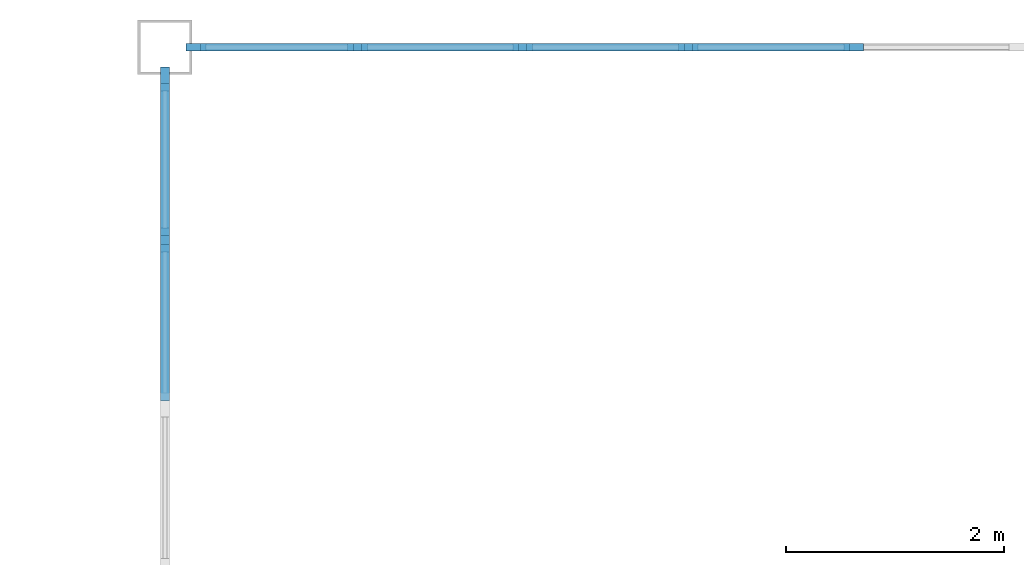
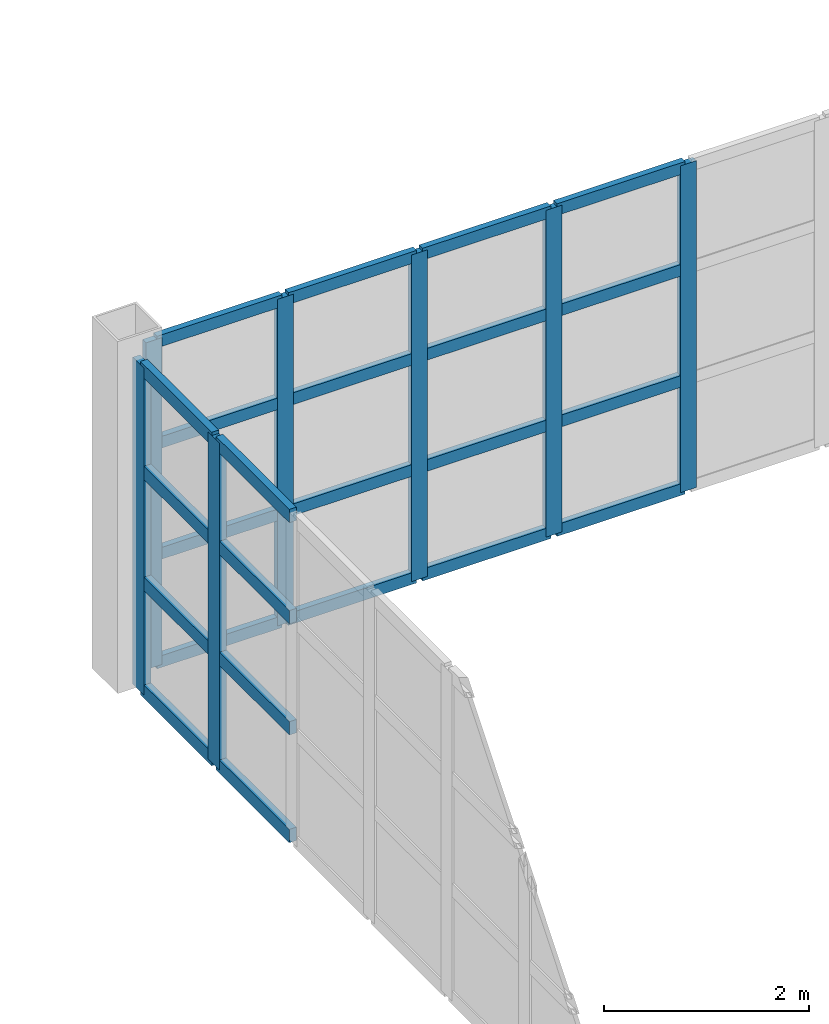
# One storey, part 34 of 82: 31 members, 2 elements without a shape of their own.
"""IFC4 building model written with IfcOpenShell, lengths in metres."""

from ifc_helpers import new_model, si_unit, direction, frame, origin, origin_2d, place, context, subcontext, project, spatial, rectangle, extrude, material, layer, layer_set, material_profile, profile_set, type_object, element, aggregate, save


model = new_model("IFC4")

# Units and contexts
model_context = context("Model", 3, precision=1e-05, world=origin(), true_north=direction((0.0, 1.0)))
body_context = subcontext(model_context, "Body", "Model", "MODEL_VIEW")
ifc_project = project(units=[si_unit("LENGTHUNIT", "METRE"), si_unit("AREAUNIT", "SQUARE_METRE"), si_unit("VOLUMEUNIT", "CUBIC_METRE"), si_unit("PLANEANGLEUNIT", "RADIAN"), si_unit("MASSUNIT", "GRAM", prefix="KILO")], contexts=[model_context])

# Site, building, storey
site_placement = place(None, origin())
site = spatial("IfcSite", under=ifc_project, at=site_placement, CompositionType="ELEMENT")
building_placement = place(site_placement, origin())
building = spatial("IfcBuilding", under=site, at=building_placement, Name="Zarnetskaya Central Station", CompositionType="ELEMENT")
storey_placement = place(building_placement, frame((0.0, 0.0, 10.199951171875)))
storey = spatial("IfcBuildingStorey", under=building, at=storey_placement, Name="L02", CompositionType="ELEMENT", Elevation=10.199951171875)

# Curtain wall, members
ifc_material_1 = material(Name="Low-E insulated glass", Category="glass")
ifc_layer = layer(ifc_material_1, 0.1640625, Name="Low-E insulated glass", Category="glass")
ifc_layer_set = layer_set([ifc_layer], Name="Low-E insulated glass")
curtain_wall_type = type_object("IfcCurtainWallType", Name="CW-SYS-12", PredefinedType="USERDEFINED", material=ifc_layer_set)
curtain_wall_1_placement = place(storey_placement, origin())
curtain_wall_1 = element("IfcCurtainWall", 1, at=curtain_wall_1_placement, inside=storey, type_object=curtain_wall_type, Name="Curtain wall CW-L02-169", ObjectType="CURTAIN WALL", PredefinedType="USERDEFINED")
ifc_material_2 = material(Name="Anodised aluminium", Category="aluminium")
ifc_material_profile_1 = material_profile(ifc_material_2, rectangle(XDim=0.070068359375, YDim=0.179931640625, at=origin_2d()), Name="ALU MULL 70x180")
ifc_profile_set_1 = profile_set([ifc_material_profile_1], Name="Anodised aluminium")
member_type_1 = type_object("IfcMemberType", Name="CW-MULL-180", PredefinedType="MULLION", material=ifc_profile_set_1)
member_1_placement = place(storey_placement, frame((57.885009765625, 124.800048828125, 0.0), z_axis=(0.0, 0.0, 1.0), x_axis=(0.0, 1.0, 0.0)))
member_1 = element("IfcMember", 2, at=member_1_placement, type_object=member_type_1, Name="CW-18 mullion 1", PredefinedType="MULLION", context=body_context, shape_type="SweptSolid", body=[
    extrude(rectangle(XDim=0.070068359375, YDim=0.179931640625, at=origin_2d()), origin(), (0.0, 0.0, 1.0), 3.900146484375),
])
member_2_placement = place(storey_placement, frame((59.36669921875, 124.800048828125, 0.0), z_axis=(0.0, 0.0, 1.0), x_axis=(0.0, 1.0, 0.0)))
member_2 = element("IfcMember", 3, at=member_2_placement, type_object=member_type_1, Name="CW-18 mullion 2", PredefinedType="MULLION", context=body_context, shape_type="SweptSolid", body=[
    extrude(rectangle(XDim=0.070068359375, YDim=0.179931640625, at=origin_2d()), origin(), (0.0, 0.0, 1.0), 3.900146484375),
])
member_3_placement = place(storey_placement, frame((60.88330078125, 124.800048828125, 0.0), z_axis=(0.0, 0.0, 1.0), x_axis=(0.0, 1.0, 0.0)))
member_3 = element("IfcMember", 4, at=member_3_placement, type_object=member_type_1, Name="CW-18 mullion 3", PredefinedType="MULLION", context=body_context, shape_type="SweptSolid", body=[
    extrude(rectangle(XDim=0.070068359375, YDim=0.179931640625, at=origin_2d()), origin(), (0.0, 0.0, 1.0), 3.900146484375),
])
member_4_placement = place(storey_placement, frame((62.39990234375, 124.800048828125, 0.0), z_axis=(0.0, 0.0, 1.0), x_axis=(0.0, 1.0, 0.0)))
member_4 = element("IfcMember", 5, at=member_4_placement, type_object=member_type_1, Name="CW-18 mullion 4", PredefinedType="MULLION", context=body_context, shape_type="SweptSolid", body=[
    extrude(rectangle(XDim=0.070068359375, YDim=0.179931640625, at=origin_2d()), origin(), (0.0, 0.0, 1.0), 3.900146484375),
])
member_5_placement = place(storey_placement, frame((63.916748046875, 124.800048828125, 0.0), z_axis=(0.0, 0.0, 1.0), x_axis=(0.0, 1.0, 0.0)))
member_5 = element("IfcMember", 6, at=member_5_placement, type_object=member_type_1, Name="CW-18 mullion 5", PredefinedType="MULLION", context=body_context, shape_type="SweptSolid", body=[
    extrude(rectangle(XDim=0.070068359375, YDim=0.179931640625, at=origin_2d()), origin(), (0.0, 0.0, 1.0), 3.900146484375),
])

curtain_wall_2_placement = place(storey_placement, origin())
curtain_wall_2 = element("IfcCurtainWall", 7, at=curtain_wall_2_placement, inside=storey, type_object=curtain_wall_type, Name="Curtain wall CW-L02-168", ObjectType="CURTAIN WALL", PredefinedType="USERDEFINED")
ifc_material_profile_2 = material_profile(ifc_material_2, rectangle(XDim=0.080078125, YDim=0.219970703125, at=origin_2d()), Name="ALU MULL 80x220")
ifc_profile_set_2 = profile_set([ifc_material_profile_2], Name="Anodised aluminium")
member_type_2 = type_object("IfcMemberType", Name="CW-MULL-220", PredefinedType="MULLION", material=ifc_profile_set_2)
member_6_placement = place(storey_placement, frame((57.60009765625, 123.033447265625, 0.0), z_axis=(0.0, 0.0, 1.0), x_axis=(-1.0, 0.0, 0.0)))
member_6 = element("IfcMember", 8, at=member_6_placement, type_object=member_type_2, Name="CW-18 mullion 6", PredefinedType="MULLION", context=body_context, shape_type="SweptSolid", body=[
    extrude(rectangle(XDim=0.080078125, YDim=0.219970703125, at=origin_2d()), origin(), (0.0, 0.0, 1.0), 3.900146484375),
])
member_7_placement = place(storey_placement, frame((57.60009765625, 124.510009765625, 0.0), z_axis=(0.0, 0.0, 1.0), x_axis=(-1.0, 0.0, 0.0)))
member_7 = element("IfcMember", 9, at=member_7_placement, type_object=member_type_2, Name="CW-18 mullion 7", PredefinedType="MULLION", context=body_context, shape_type="SweptSolid", body=[
    extrude(rectangle(XDim=0.080078125, YDim=0.219970703125, at=origin_2d()), origin(), (0.0, 0.0, 1.0), 3.900146484375),
])

# Member
ifc_material_profile_3 = material_profile(ifc_material_2, rectangle(XDim=0.070068359375, YDim=0.139892578125, at=origin_2d()), Name="ALU TRAN 70x140")
ifc_profile_set_3 = profile_set([ifc_material_profile_3], Name="Anodised aluminium")
member_type_3 = type_object("IfcMemberType", Name="CW-TRAN-140", PredefinedType="USERDEFINED", material=ifc_profile_set_3)
member_8_placement = place(storey_placement, frame((57.919921875, 124.800048828125, 0.03515625), z_axis=(1.0, 0.0, 0.0), x_axis=(0.0, 1.0, 0.0)))
member_8 = element("IfcMember", 10, at=member_8_placement, type_object=member_type_3, Name="CW-18 transom 1.1", ObjectType="TRANSOM", PredefinedType="USERDEFINED", context=body_context, shape_type="SweptSolid", body=[
    extrude(rectangle(XDim=0.070068359375, YDim=0.139892578125, at=origin_2d()), origin(), (0.0, 0.0, 1.0), 1.411865234375),
])

member_9_placement = place(storey_placement, frame((57.919921875, 124.800048828125, 1.325927734375), z_axis=(1.0, 0.0, 0.0), x_axis=(0.0, 1.0, 0.0)))
member_9 = element("IfcMember", 11, at=member_9_placement, type_object=member_type_3, Name="CW-18 transom 1.2", ObjectType="TRANSOM", PredefinedType="USERDEFINED", context=body_context, shape_type="SweptSolid", body=[
    extrude(rectangle(XDim=0.070068359375, YDim=0.139892578125, at=origin_2d()), origin(), (0.0, 0.0, 1.0), 1.411865234375),
])

member_10_placement = place(storey_placement, frame((57.919921875, 124.800048828125, 2.652099609375), z_axis=(1.0, 0.0, 0.0), x_axis=(0.0, 1.0, 0.0)))
member_10 = element("IfcMember", 12, at=member_10_placement, type_object=member_type_3, Name="CW-18 transom 1.3", ObjectType="TRANSOM", PredefinedType="USERDEFINED", context=body_context, shape_type="SweptSolid", body=[
    extrude(rectangle(XDim=0.070068359375, YDim=0.139892578125, at=origin_2d()), origin(), (0.0, 0.0, 1.0), 1.411865234375),
])

member_11_placement = place(storey_placement, frame((57.919921875, 124.800048828125, 3.864990234375), z_axis=(1.0, 0.0, 0.0), x_axis=(0.0, 1.0, 0.0)))
member_11 = element("IfcMember", 13, at=member_11_placement, type_object=member_type_3, Name="CW-18 transom 1.4", ObjectType="TRANSOM", PredefinedType="USERDEFINED", context=body_context, shape_type="SweptSolid", body=[
    extrude(rectangle(XDim=0.070068359375, YDim=0.139892578125, at=origin_2d()), origin(), (0.0, 0.0, 1.0), 1.411865234375),
])

member_12_placement = place(storey_placement, frame((59.401611328125, 124.800048828125, 0.03515625), z_axis=(1.0, 0.0, 0.0), x_axis=(0.0, 1.0, 0.0)))
member_12 = element("IfcMember", 14, at=member_12_placement, type_object=member_type_3, Name="CW-18 transom 2.1", ObjectType="TRANSOM", PredefinedType="USERDEFINED", context=body_context, shape_type="SweptSolid", body=[
    extrude(rectangle(XDim=0.070068359375, YDim=0.139892578125, at=origin_2d()), origin(), (0.0, 0.0, 1.0), 1.44677734375),
])

member_13_placement = place(storey_placement, frame((59.401611328125, 124.800048828125, 1.325927734375), z_axis=(1.0, 0.0, 0.0), x_axis=(0.0, 1.0, 0.0)))
member_13 = element("IfcMember", 15, at=member_13_placement, type_object=member_type_3, Name="CW-18 transom 2.2", ObjectType="TRANSOM", PredefinedType="USERDEFINED", context=body_context, shape_type="SweptSolid", body=[
    extrude(rectangle(XDim=0.070068359375, YDim=0.139892578125, at=origin_2d()), origin(), (0.0, 0.0, 1.0), 1.44677734375),
])

member_14_placement = place(storey_placement, frame((59.401611328125, 124.800048828125, 2.652099609375), z_axis=(1.0, 0.0, 0.0), x_axis=(0.0, 1.0, 0.0)))
member_14 = element("IfcMember", 16, at=member_14_placement, type_object=member_type_3, Name="CW-18 transom 2.3", ObjectType="TRANSOM", PredefinedType="USERDEFINED", context=body_context, shape_type="SweptSolid", body=[
    extrude(rectangle(XDim=0.070068359375, YDim=0.139892578125, at=origin_2d()), origin(), (0.0, 0.0, 1.0), 1.44677734375),
])

member_15_placement = place(storey_placement, frame((59.401611328125, 124.800048828125, 3.864990234375), z_axis=(1.0, 0.0, 0.0), x_axis=(0.0, 1.0, 0.0)))
member_15 = element("IfcMember", 17, at=member_15_placement, type_object=member_type_3, Name="CW-18 transom 2.4", ObjectType="TRANSOM", PredefinedType="USERDEFINED", context=body_context, shape_type="SweptSolid", body=[
    extrude(rectangle(XDim=0.070068359375, YDim=0.139892578125, at=origin_2d()), origin(), (0.0, 0.0, 1.0), 1.44677734375),
])

member_16_placement = place(storey_placement, frame((60.918212890625, 124.800048828125, 0.03515625), z_axis=(1.0, 0.0, 0.0), x_axis=(0.0, 1.0, 0.0)))
member_16 = element("IfcMember", 18, at=member_16_placement, type_object=member_type_3, Name="CW-18 transom 3.1", ObjectType="TRANSOM", PredefinedType="USERDEFINED", context=body_context, shape_type="SweptSolid", body=[
    extrude(rectangle(XDim=0.070068359375, YDim=0.139892578125, at=origin_2d()), origin(), (0.0, 0.0, 1.0), 1.44677734375),
])

member_17_placement = place(storey_placement, frame((60.918212890625, 124.800048828125, 1.325927734375), z_axis=(1.0, 0.0, 0.0), x_axis=(0.0, 1.0, 0.0)))
member_17 = element("IfcMember", 19, at=member_17_placement, type_object=member_type_3, Name="CW-18 transom 3.2", ObjectType="TRANSOM", PredefinedType="USERDEFINED", context=body_context, shape_type="SweptSolid", body=[
    extrude(rectangle(XDim=0.070068359375, YDim=0.139892578125, at=origin_2d()), origin(), (0.0, 0.0, 1.0), 1.44677734375),
])

member_18_placement = place(storey_placement, frame((60.918212890625, 124.800048828125, 2.652099609375), z_axis=(1.0, 0.0, 0.0), x_axis=(0.0, 1.0, 0.0)))
member_18 = element("IfcMember", 20, at=member_18_placement, type_object=member_type_3, Name="CW-18 transom 3.3", ObjectType="TRANSOM", PredefinedType="USERDEFINED", context=body_context, shape_type="SweptSolid", body=[
    extrude(rectangle(XDim=0.070068359375, YDim=0.139892578125, at=origin_2d()), origin(), (0.0, 0.0, 1.0), 1.44677734375),
])

member_19_placement = place(storey_placement, frame((60.918212890625, 124.800048828125, 3.864990234375), z_axis=(1.0, 0.0, 0.0), x_axis=(0.0, 1.0, 0.0)))
member_19 = element("IfcMember", 21, at=member_19_placement, type_object=member_type_3, Name="CW-18 transom 3.4", ObjectType="TRANSOM", PredefinedType="USERDEFINED", context=body_context, shape_type="SweptSolid", body=[
    extrude(rectangle(XDim=0.070068359375, YDim=0.139892578125, at=origin_2d()), origin(), (0.0, 0.0, 1.0), 1.44677734375),
])

member_20_placement = place(storey_placement, frame((62.43505859375, 124.800048828125, 0.03515625), z_axis=(1.0, 0.0, 0.0), x_axis=(0.0, 1.0, 0.0)))
member_20 = element("IfcMember", 22, at=member_20_placement, type_object=member_type_3, Name="CW-18 transom 4.1", ObjectType="TRANSOM", PredefinedType="USERDEFINED", context=body_context, shape_type="SweptSolid", body=[
    extrude(rectangle(XDim=0.070068359375, YDim=0.139892578125, at=origin_2d()), origin(), (0.0, 0.0, 1.0), 1.446533203125),
])

member_21_placement = place(storey_placement, frame((62.43505859375, 124.800048828125, 1.325927734375), z_axis=(1.0, 0.0, 0.0), x_axis=(0.0, 1.0, 0.0)))
member_21 = element("IfcMember", 23, at=member_21_placement, type_object=member_type_3, Name="CW-18 transom 4.2", ObjectType="TRANSOM", PredefinedType="USERDEFINED", context=body_context, shape_type="SweptSolid", body=[
    extrude(rectangle(XDim=0.070068359375, YDim=0.139892578125, at=origin_2d()), origin(), (0.0, 0.0, 1.0), 1.446533203125),
])

member_22_placement = place(storey_placement, frame((62.43505859375, 124.800048828125, 2.652099609375), z_axis=(1.0, 0.0, 0.0), x_axis=(0.0, 1.0, 0.0)))
member_22 = element("IfcMember", 24, at=member_22_placement, type_object=member_type_3, Name="CW-18 transom 4.3", ObjectType="TRANSOM", PredefinedType="USERDEFINED", context=body_context, shape_type="SweptSolid", body=[
    extrude(rectangle(XDim=0.070068359375, YDim=0.139892578125, at=origin_2d()), origin(), (0.0, 0.0, 1.0), 1.446533203125),
])

member_23_placement = place(storey_placement, frame((62.43505859375, 124.800048828125, 3.864990234375), z_axis=(1.0, 0.0, 0.0), x_axis=(0.0, 1.0, 0.0)))
member_23 = element("IfcMember", 25, at=member_23_placement, type_object=member_type_3, Name="CW-18 transom 4.4", ObjectType="TRANSOM", PredefinedType="USERDEFINED", context=body_context, shape_type="SweptSolid", body=[
    extrude(rectangle(XDim=0.070068359375, YDim=0.139892578125, at=origin_2d()), origin(), (0.0, 0.0, 1.0), 1.446533203125),
])

aggregate(curtain_wall_1, [member_1, member_2, member_3, member_4, member_5, member_8, member_9, member_10, member_11, member_12, member_13, member_14, member_15, member_16, member_17, member_18, member_19, member_20, member_21, member_22, member_23])

ifc_material_profile_4 = material_profile(ifc_material_2, rectangle(XDim=0.080078125, YDim=0.159912109375, at=origin_2d()), Name="ALU TRAN 80x160")
ifc_profile_set_4 = profile_set([ifc_material_profile_4], Name="Anodised aluminium")
member_type_4 = type_object("IfcMemberType", Name="CW-TRAN-160", PredefinedType="USERDEFINED", material=ifc_profile_set_4)
member_24_placement = place(storey_placement, frame((57.60009765625, 121.556640625, 0.0400390625), z_axis=(0.0, 1.0, 0.0), x_axis=(-1.0, 0.0, 0.0)))
member_24 = element("IfcMember", 26, at=member_24_placement, type_object=member_type_4, Name="CW-18 transom 5.1", ObjectType="TRANSOM", PredefinedType="USERDEFINED", context=body_context, shape_type="SweptSolid", body=[
    extrude(rectangle(XDim=0.080078125, YDim=0.159912109375, at=origin_2d()), origin(), (0.0, 0.0, 1.0), 1.436767578125),
])

member_25_placement = place(storey_placement, frame((57.60009765625, 121.556640625, 1.325927734375), z_axis=(0.0, 1.0, 0.0), x_axis=(-1.0, 0.0, 0.0)))
member_25 = element("IfcMember", 27, at=member_25_placement, type_object=member_type_4, Name="CW-18 transom 5.2", ObjectType="TRANSOM", PredefinedType="USERDEFINED", context=body_context, shape_type="SweptSolid", body=[
    extrude(rectangle(XDim=0.080078125, YDim=0.159912109375, at=origin_2d()), origin(), (0.0, 0.0, 1.0), 1.436767578125),
])

member_26_placement = place(storey_placement, frame((57.60009765625, 121.556640625, 2.652099609375), z_axis=(0.0, 1.0, 0.0), x_axis=(-1.0, 0.0, 0.0)))
member_26 = element("IfcMember", 28, at=member_26_placement, type_object=member_type_4, Name="CW-18 transom 5.3", ObjectType="TRANSOM", PredefinedType="USERDEFINED", context=body_context, shape_type="SweptSolid", body=[
    extrude(rectangle(XDim=0.080078125, YDim=0.159912109375, at=origin_2d()), origin(), (0.0, 0.0, 1.0), 1.436767578125),
])

member_27_placement = place(storey_placement, frame((57.60009765625, 121.556640625, 3.860107421875), z_axis=(0.0, 1.0, 0.0), x_axis=(-1.0, 0.0, 0.0)))
member_27 = element("IfcMember", 29, at=member_27_placement, type_object=member_type_4, Name="CW-18 transom 5.4", ObjectType="TRANSOM", PredefinedType="USERDEFINED", context=body_context, shape_type="SweptSolid", body=[
    extrude(rectangle(XDim=0.080078125, YDim=0.159912109375, at=origin_2d()), origin(), (0.0, 0.0, 1.0), 1.436767578125),
])

member_28_placement = place(storey_placement, frame((57.60009765625, 123.0732421875, 0.0400390625), z_axis=(0.0, 1.0, 0.0), x_axis=(-1.0, 0.0, 0.0)))
member_28 = element("IfcMember", 30, at=member_28_placement, type_object=member_type_4, Name="CW-18 transom 6.1", ObjectType="TRANSOM", PredefinedType="USERDEFINED", context=body_context, shape_type="SweptSolid", body=[
    extrude(rectangle(XDim=0.080078125, YDim=0.159912109375, at=origin_2d()), origin(), (0.0, 0.0, 1.0), 1.396728515625),
])

member_29_placement = place(storey_placement, frame((57.60009765625, 123.0732421875, 1.325927734375), z_axis=(0.0, 1.0, 0.0), x_axis=(-1.0, 0.0, 0.0)))
member_29 = element("IfcMember", 31, at=member_29_placement, type_object=member_type_4, Name="CW-18 transom 6.2", ObjectType="TRANSOM", PredefinedType="USERDEFINED", context=body_context, shape_type="SweptSolid", body=[
    extrude(rectangle(XDim=0.080078125, YDim=0.159912109375, at=origin_2d()), origin(), (0.0, 0.0, 1.0), 1.396728515625),
])

member_30_placement = place(storey_placement, frame((57.60009765625, 123.0732421875, 2.652099609375), z_axis=(0.0, 1.0, 0.0), x_axis=(-1.0, 0.0, 0.0)))
member_30 = element("IfcMember", 32, at=member_30_placement, type_object=member_type_4, Name="CW-18 transom 6.3", ObjectType="TRANSOM", PredefinedType="USERDEFINED", context=body_context, shape_type="SweptSolid", body=[
    extrude(rectangle(XDim=0.080078125, YDim=0.159912109375, at=origin_2d()), origin(), (0.0, 0.0, 1.0), 1.396728515625),
])

member_31_placement = place(storey_placement, frame((57.60009765625, 123.0732421875, 3.860107421875), z_axis=(0.0, 1.0, 0.0), x_axis=(-1.0, 0.0, 0.0)))
member_31 = element("IfcMember", 33, at=member_31_placement, type_object=member_type_4, Name="CW-18 transom 6.4", ObjectType="TRANSOM", PredefinedType="USERDEFINED", context=body_context, shape_type="SweptSolid", body=[
    extrude(rectangle(XDim=0.080078125, YDim=0.159912109375, at=origin_2d()), origin(), (0.0, 0.0, 1.0), 1.396728515625),
])

aggregate(curtain_wall_2, [member_6, member_7, member_24, member_25, member_26, member_27, member_28, member_29, member_30, member_31])

save(model, "model.ifc")
